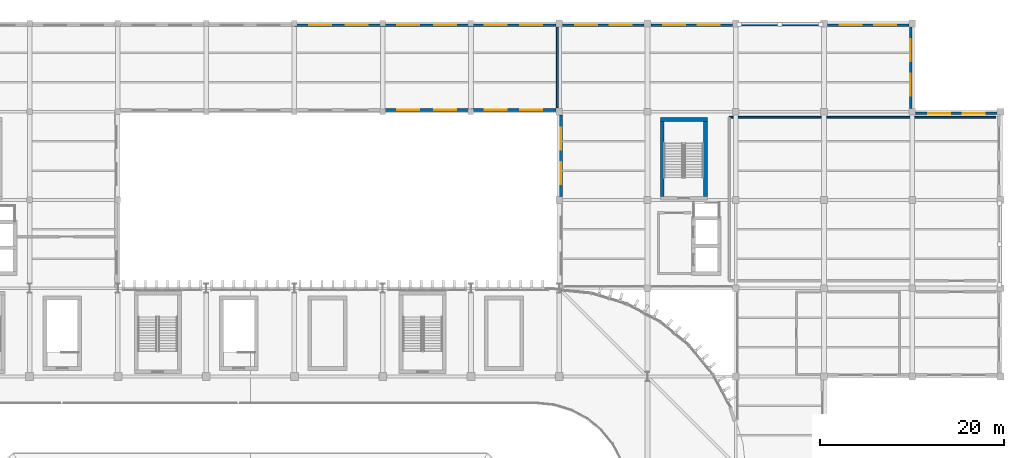
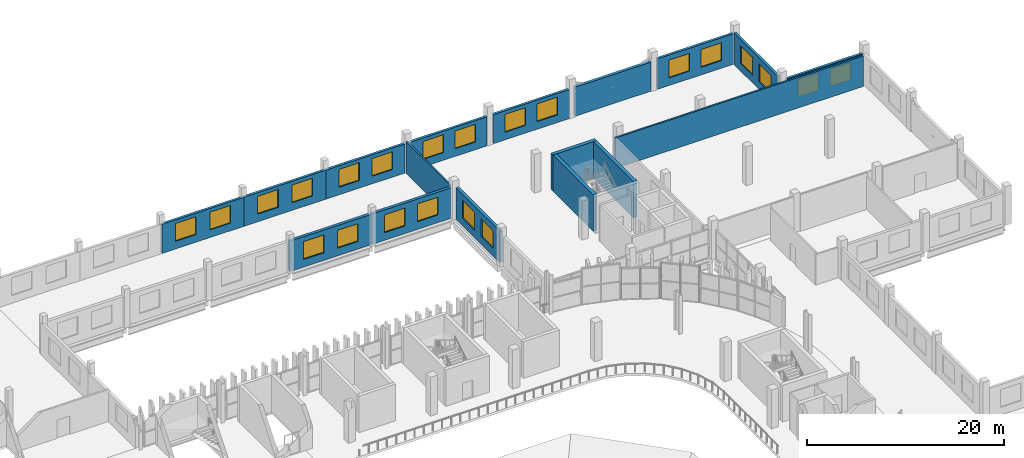
# One storey, part 68 of 99: 22 windows, 17 walls, 22 openings.
"""IFC4 building model written with IfcOpenShell, lengths in metres."""

from ifc_helpers import new_model, si_unit, direction, frame, frame_2d, origin, place, context, subcontext, project, spatial, rectangle, extrude, material, layer, layer_set, type_object, element, fill, save


model = new_model("IFC4")

# Units and contexts
model_context = context("Model", 3, precision=1e-05, world=origin(), true_north=direction((0.0, 1.0)))
body_context = subcontext(model_context, "Body", "Model", "MODEL_VIEW")
ifc_project = project(units=[si_unit("LENGTHUNIT", "METRE"), si_unit("AREAUNIT", "SQUARE_METRE"), si_unit("VOLUMEUNIT", "CUBIC_METRE"), si_unit("PLANEANGLEUNIT", "RADIAN"), si_unit("MASSUNIT", "GRAM", prefix="KILO")], contexts=[model_context])

# Site, building, storey
site_placement = place(None, origin())
site = spatial("IfcSite", under=ifc_project, at=site_placement, CompositionType="ELEMENT")
building_placement = place(site_placement, origin())
building = spatial("IfcBuilding", under=site, at=building_placement, Name="Caelomonte Colonnade Arena", CompositionType="ELEMENT")
storey_placement = place(building_placement, frame((0.0, 0.0, 4.800048828125)))
storey = spatial("IfcBuildingStorey", under=building, at=storey_placement, Name="L01", CompositionType="ELEMENT", Elevation=4.800048828125)

# Wall, openings, windows
ifc_material_1 = material(Name="Precast concrete C40/50", Category="concrete")
ifc_layer_1 = layer(ifc_material_1, 0.2900390625)
ifc_layer_set_1 = layer_set([ifc_layer_1], Name="Precast concrete C40/50")
wall_type_1 = type_object("IfcWallType", Name="ENV-WL-EXT29", PredefinedType="SOLIDWALL", material=ifc_layer_set_1)
wall_1_placement = place(storey_placement, frame((191.64501953125, 134.219970703125, 0.0), z_axis=(0.0, 0.0, 1.0), x_axis=(-1.0, 0.0, 0.0)))
wall_1 = element("IfcWall", 1, at=wall_1_placement, inside=storey, type_object=wall_type_1, Name="L01 exterior wall EW-L01-0205", PredefinedType="SOLIDWALL", context=body_context, shape_type="SweptSolid", body=[
    extrude(rectangle(XDim=8.89013671875, YDim=0.2900390625, at=frame_2d((4.445068359375, 0.0))), origin(), (0.0, 0.0, 1.0), 3.758056640625),
])
opening_1_placement = place(wall_1_placement, frame((3.76318359375, 0.0, 0.949951171875), z_axis=(0.0, 0.0, 1.0), x_axis=(-1.0, 0.0, 0.0)))
opening_1 = element("IfcOpeningElement", 2, at=opening_1_placement, cuts=wall_1, Name="Opening WN-04", PredefinedType="OPENING", context=body_context, shape_type="SweptSolid", body=[
    extrude(rectangle(XDim=2.39990234375, YDim=2.199951171875, at=frame_2d((1.199951171875, 1.10009765625))), frame((0.0, 0.155029296875, 0.0), z_axis=(0.0, -1.0, 0.0), x_axis=(1.0, 0.0, 0.0)), (0.0, 0.0, 1.0), 0.31005859375),
])
opening_2_placement = place(wall_1_placement, frame((7.526611328125, 0.0, 0.949951171875), z_axis=(0.0, 0.0, 1.0), x_axis=(-1.0, 0.0, 0.0)))
opening_2 = element("IfcOpeningElement", 3, at=opening_2_placement, cuts=wall_1, Name="Opening WN-04", PredefinedType="OPENING", context=body_context, shape_type="SweptSolid", body=[
    extrude(rectangle(XDim=2.39990234375, YDim=2.199951171875, at=frame_2d((1.199951171875, 1.10009765625))), frame((0.0, 0.155029296875, 0.0), z_axis=(0.0, -1.0, 0.0), x_axis=(1.0, 0.0, 0.0)), (0.0, 0.0, 1.0), 0.31005859375),
])
ifc_material_2 = material(Name="Solar-control bronze low-E double glazing", Category="glass")
window_type = type_object("IfcWindowType", Name="ENV-WN-V4A", PartitioningType="DOUBLE_PANEL_VERTICAL", PredefinedType="WINDOW", material=ifc_material_2)
window_1_placement = place(opening_1_placement, origin())
window_1 = element("IfcWindow", 4, at=window_1_placement, inside=storey, type_object=window_type, Name="L01 facade window 108", OverallHeight=2.199951171875, OverallWidth=2.39990234375, PartitioningType="SINGLE_PANEL", PredefinedType="WINDOW", context=body_context, shape_type="SweptSolid", body=[
    extrude(rectangle(XDim=2.39990234375, YDim=2.199951171875, at=frame_2d((1.199951171875, 1.10009765625))), frame((0.0, 0.030029296875, 0.0), z_axis=(0.0, -1.0, 0.0), x_axis=(1.0, 0.0, 0.0)), (0.0, 0.0, 1.0), 0.06005859375),
])
fill(opening_1, window_1)
window_2_placement = place(opening_2_placement, origin())
window_2 = element("IfcWindow", 5, at=window_2_placement, inside=storey, type_object=window_type, Name="L01 facade window 109", OverallHeight=2.199951171875, OverallWidth=2.39990234375, PartitioningType="SINGLE_PANEL", PredefinedType="WINDOW", context=body_context, shape_type="SweptSolid", body=[
    extrude(rectangle(XDim=2.39990234375, YDim=2.199951171875, at=frame_2d((1.199951171875, 1.10009765625))), frame((0.0, 0.030029296875, 0.0), z_axis=(0.0, -1.0, 0.0), x_axis=(1.0, 0.0, 0.0)), (0.0, 0.0, 1.0), 0.06005859375),
])
fill(opening_2, window_2)

wall_2_placement = place(storey_placement, frame((182.219970703125, 134.7548828125, 0.0), z_axis=(0.0, 0.0, 1.0), x_axis=(0.0, 1.0, 0.0)))
wall_2 = element("IfcWall", 6, at=wall_2_placement, inside=storey, type_object=wall_type_1, Name="L01 exterior wall EW-L01-0206", PredefinedType="SOLIDWALL", context=body_context, shape_type="SweptSolid", body=[
    extrude(rectangle(XDim=8.89013671875, YDim=0.2900390625, at=frame_2d((4.445068359375, 0.0))), origin(), (0.0, 0.0, 1.0), 3.912841796875),
])
opening_3_placement = place(wall_2_placement, frame((3.76318359375, 0.0, 0.949951171875), z_axis=(0.0, 0.0, 1.0), x_axis=(-1.0, 0.0, 0.0)))
opening_3 = element("IfcOpeningElement", 7, at=opening_3_placement, cuts=wall_2, Name="Opening WN-04", PredefinedType="OPENING", context=body_context, shape_type="SweptSolid", body=[
    extrude(rectangle(XDim=2.39990234375, YDim=2.199951171875, at=frame_2d((1.199951171875, 1.10009765625))), frame((0.0, 0.155029296875, 0.0), z_axis=(0.0, -1.0, 0.0), x_axis=(1.0, 0.0, 0.0)), (0.0, 0.0, 1.0), 0.31005859375),
])
opening_4_placement = place(wall_2_placement, frame((7.526611328125, 0.0, 0.949951171875), z_axis=(0.0, 0.0, 1.0), x_axis=(-1.0, 0.0, 0.0)))
opening_4 = element("IfcOpeningElement", 8, at=opening_4_placement, cuts=wall_2, Name="Opening WN-04", PredefinedType="OPENING", context=body_context, shape_type="SweptSolid", body=[
    extrude(rectangle(XDim=2.39990234375, YDim=2.199951171875, at=frame_2d((1.199951171875, 1.10009765625))), frame((0.0, 0.155029296875, 0.0), z_axis=(0.0, -1.0, 0.0), x_axis=(1.0, 0.0, 0.0)), (0.0, 0.0, 1.0), 0.31005859375),
])
window_3_placement = place(opening_3_placement, origin())
window_3 = element("IfcWindow", 9, at=window_3_placement, inside=storey, type_object=window_type, Name="L01 facade window 110", OverallHeight=2.199951171875, OverallWidth=2.39990234375, PartitioningType="SINGLE_PANEL", PredefinedType="WINDOW", context=body_context, shape_type="SweptSolid", body=[
    extrude(rectangle(XDim=2.39990234375, YDim=2.199951171875, at=frame_2d((1.199951171875, 1.10009765625))), frame((0.0, 0.030029296875, 0.0), z_axis=(0.0, -1.0, 0.0), x_axis=(1.0, 0.0, 0.0)), (0.0, 0.0, 1.0), 0.06005859375),
])
fill(opening_3, window_3)
window_4_placement = place(opening_4_placement, origin())
window_4 = element("IfcWindow", 10, at=window_4_placement, inside=storey, type_object=window_type, Name="L01 facade window 111", OverallHeight=2.199951171875, OverallWidth=2.39990234375, PartitioningType="SINGLE_PANEL", PredefinedType="WINDOW", context=body_context, shape_type="SweptSolid", body=[
    extrude(rectangle(XDim=2.39990234375, YDim=2.199951171875, at=frame_2d((1.199951171875, 1.10009765625))), frame((0.0, 0.030029296875, 0.0), z_axis=(0.0, -1.0, 0.0), x_axis=(1.0, 0.0, 0.0)), (0.0, 0.0, 1.0), 0.06005859375),
])
fill(opening_4, window_4)

wall_3_placement = place(storey_placement, frame((182.044921875, 143.820068359375, 0.0), z_axis=(0.0, 0.0, 1.0), x_axis=(-1.0, 0.0, 0.0)))
wall_3 = element("IfcWall", 11, at=wall_3_placement, inside=storey, type_object=wall_type_1, Name="L01 exterior wall EW-L01-0207", PredefinedType="SOLIDWALL", context=body_context, shape_type="SweptSolid", body=[
    extrude(rectangle(XDim=8.889892578125, YDim=0.2900390625, at=frame_2d((4.44482421875, 0.0))), origin(), (0.0, 0.0, 1.0), 3.77001953125),
])
opening_5_placement = place(wall_3_placement, frame((3.76318359375, 0.0, 0.949951171875), z_axis=(0.0, 0.0, 1.0), x_axis=(-1.0, 0.0, 0.0)))
opening_5 = element("IfcOpeningElement", 12, at=opening_5_placement, cuts=wall_3, Name="Opening WN-04", PredefinedType="OPENING", context=body_context, shape_type="SweptSolid", body=[
    extrude(rectangle(XDim=2.39990234375, YDim=2.199951171875, at=frame_2d((1.199951171875, 1.10009765625))), frame((0.0, 0.155029296875, 0.0), z_axis=(0.0, -1.0, 0.0), x_axis=(1.0, 0.0, 0.0)), (0.0, 0.0, 1.0), 0.31005859375),
])
opening_6_placement = place(wall_3_placement, frame((7.526611328125, 0.0, 0.949951171875), z_axis=(0.0, 0.0, 1.0), x_axis=(-1.0, 0.0, 0.0)))
opening_6 = element("IfcOpeningElement", 13, at=opening_6_placement, cuts=wall_3, Name="Opening WN-04", PredefinedType="OPENING", context=body_context, shape_type="SweptSolid", body=[
    extrude(rectangle(XDim=2.39990234375, YDim=2.199951171875, at=frame_2d((1.199951171875, 1.10009765625))), frame((0.0, 0.155029296875, 0.0), z_axis=(0.0, -1.0, 0.0), x_axis=(1.0, 0.0, 0.0)), (0.0, 0.0, 1.0), 0.31005859375),
])
window_5_placement = place(opening_5_placement, origin())
window_5 = element("IfcWindow", 14, at=window_5_placement, inside=storey, type_object=window_type, Name="L01 facade window 112", OverallHeight=2.199951171875, OverallWidth=2.39990234375, PartitioningType="SINGLE_PANEL", PredefinedType="WINDOW", context=body_context, shape_type="SweptSolid", body=[
    extrude(rectangle(XDim=2.39990234375, YDim=2.199951171875, at=frame_2d((1.199951171875, 1.10009765625))), frame((0.0, 0.030029296875, 0.0), z_axis=(0.0, -1.0, 0.0), x_axis=(1.0, 0.0, 0.0)), (0.0, 0.0, 1.0), 0.06005859375),
])
fill(opening_5, window_5)
window_6_placement = place(opening_6_placement, origin())
window_6 = element("IfcWindow", 15, at=window_6_placement, inside=storey, type_object=window_type, Name="L01 facade window 113", OverallHeight=2.199951171875, OverallWidth=2.39990234375, PartitioningType="SINGLE_PANEL", PredefinedType="WINDOW", context=body_context, shape_type="SweptSolid", body=[
    extrude(rectangle(XDim=2.39990234375, YDim=2.199951171875, at=frame_2d((1.199951171875, 1.10009765625))), frame((0.0, 0.030029296875, 0.0), z_axis=(0.0, -1.0, 0.0), x_axis=(1.0, 0.0, 0.0)), (0.0, 0.0, 1.0), 0.06005859375),
])
fill(opening_6, window_6)

wall_4_placement = place(storey_placement, frame((162.844970703125, 143.820068359375, 0.0), z_axis=(0.0, 0.0, 1.0), x_axis=(-1.0, 0.0, 0.0)))
wall_4 = element("IfcWall", 16, at=wall_4_placement, inside=storey, type_object=wall_type_1, Name="L01 exterior wall EW-L01-0209", PredefinedType="SOLIDWALL", context=body_context, shape_type="SweptSolid", body=[
    extrude(rectangle(XDim=8.889892578125, YDim=0.2900390625, at=frame_2d((4.44482421875, 0.0))), origin(), (0.0, 0.0, 1.0), 3.593017578125),
])
opening_7_placement = place(wall_4_placement, frame((3.76318359375, 0.0, 0.949951171875), z_axis=(0.0, 0.0, 1.0), x_axis=(-1.0, 0.0, 0.0)))
opening_7 = element("IfcOpeningElement", 17, at=opening_7_placement, cuts=wall_4, Name="Opening WN-04", PredefinedType="OPENING", context=body_context, shape_type="SweptSolid", body=[
    extrude(rectangle(XDim=2.39990234375, YDim=2.199951171875, at=frame_2d((1.199951171875, 1.10009765625))), frame((0.0, 0.155029296875, 0.0), z_axis=(0.0, -1.0, 0.0), x_axis=(1.0, 0.0, 0.0)), (0.0, 0.0, 1.0), 0.31005859375),
])
opening_8_placement = place(wall_4_placement, frame((7.526611328125, 0.0, 0.949951171875), z_axis=(0.0, 0.0, 1.0), x_axis=(-1.0, 0.0, 0.0)))
opening_8 = element("IfcOpeningElement", 18, at=opening_8_placement, cuts=wall_4, Name="Opening WN-04", PredefinedType="OPENING", context=body_context, shape_type="SweptSolid", body=[
    extrude(rectangle(XDim=2.39990234375, YDim=2.199951171875, at=frame_2d((1.199951171875, 1.10009765625))), frame((0.0, 0.155029296875, 0.0), z_axis=(0.0, -1.0, 0.0), x_axis=(1.0, 0.0, 0.0)), (0.0, 0.0, 1.0), 0.31005859375),
])
window_7_placement = place(opening_7_placement, origin())
window_7 = element("IfcWindow", 19, at=window_7_placement, inside=storey, type_object=window_type, Name="L01 facade window 114", OverallHeight=2.199951171875, OverallWidth=2.39990234375, PartitioningType="SINGLE_PANEL", PredefinedType="WINDOW", context=body_context, shape_type="SweptSolid", body=[
    extrude(rectangle(XDim=2.39990234375, YDim=2.199951171875, at=frame_2d((1.199951171875, 1.10009765625))), frame((0.0, 0.030029296875, 0.0), z_axis=(0.0, -1.0, 0.0), x_axis=(1.0, 0.0, 0.0)), (0.0, 0.0, 1.0), 0.06005859375),
])
fill(opening_7, window_7)
window_8_placement = place(opening_8_placement, origin())
window_8 = element("IfcWindow", 20, at=window_8_placement, inside=storey, type_object=window_type, Name="L01 facade window 115", OverallHeight=2.199951171875, OverallWidth=2.39990234375, PartitioningType="SINGLE_PANEL", PredefinedType="WINDOW", context=body_context, shape_type="SweptSolid", body=[
    extrude(rectangle(XDim=2.39990234375, YDim=2.199951171875, at=frame_2d((1.199951171875, 1.10009765625))), frame((0.0, 0.030029296875, 0.0), z_axis=(0.0, -1.0, 0.0), x_axis=(1.0, 0.0, 0.0)), (0.0, 0.0, 1.0), 0.06005859375),
])
fill(opening_8, window_8)

wall_5_placement = place(storey_placement, frame((153.2451171875, 143.820068359375, 0.0), z_axis=(0.0, 0.0, 1.0), x_axis=(-1.0, 0.0, 0.0)))
wall_5 = element("IfcWall", 21, at=wall_5_placement, inside=storey, type_object=wall_type_1, Name="L01 exterior wall EW-L01-0210", PredefinedType="SOLIDWALL", context=body_context, shape_type="SweptSolid", body=[
    extrude(rectangle(XDim=8.89013671875, YDim=0.2900390625, at=frame_2d((4.445068359375, 0.0))), origin(), (0.0, 0.0, 1.0), 3.593017578125),
])
opening_9_placement = place(wall_5_placement, frame((3.76318359375, 0.0, 0.949951171875), z_axis=(0.0, 0.0, 1.0), x_axis=(-1.0, 0.0, 0.0)))
opening_9 = element("IfcOpeningElement", 22, at=opening_9_placement, cuts=wall_5, Name="Opening WN-04", PredefinedType="OPENING", context=body_context, shape_type="SweptSolid", body=[
    extrude(rectangle(XDim=2.39990234375, YDim=2.199951171875, at=frame_2d((1.199951171875, 1.10009765625))), frame((0.0, 0.155029296875, 0.0), z_axis=(0.0, -1.0, 0.0), x_axis=(1.0, 0.0, 0.0)), (0.0, 0.0, 1.0), 0.31005859375),
])
opening_10_placement = place(wall_5_placement, frame((7.526611328125, 0.0, 0.949951171875), z_axis=(0.0, 0.0, 1.0), x_axis=(-1.0, 0.0, 0.0)))
opening_10 = element("IfcOpeningElement", 23, at=opening_10_placement, cuts=wall_5, Name="Opening WN-04", PredefinedType="OPENING", context=body_context, shape_type="SweptSolid", body=[
    extrude(rectangle(XDim=2.39990234375, YDim=2.199951171875, at=frame_2d((1.199951171875, 1.10009765625))), frame((0.0, 0.155029296875, 0.0), z_axis=(0.0, -1.0, 0.0), x_axis=(1.0, 0.0, 0.0)), (0.0, 0.0, 1.0), 0.31005859375),
])
window_9_placement = place(opening_9_placement, origin())
window_9 = element("IfcWindow", 24, at=window_9_placement, inside=storey, type_object=window_type, Name="L01 facade window 116", OverallHeight=2.199951171875, OverallWidth=2.39990234375, PartitioningType="SINGLE_PANEL", PredefinedType="WINDOW", context=body_context, shape_type="SweptSolid", body=[
    extrude(rectangle(XDim=2.39990234375, YDim=2.199951171875, at=frame_2d((1.199951171875, 1.10009765625))), frame((0.0, 0.030029296875, 0.0), z_axis=(0.0, -1.0, 0.0), x_axis=(1.0, 0.0, 0.0)), (0.0, 0.0, 1.0), 0.06005859375),
])
fill(opening_9, window_9)
window_10_placement = place(opening_10_placement, origin())
window_10 = element("IfcWindow", 25, at=window_10_placement, inside=storey, type_object=window_type, Name="L01 facade window 117", OverallHeight=2.199951171875, OverallWidth=2.39990234375, PartitioningType="SINGLE_PANEL", PredefinedType="WINDOW", context=body_context, shape_type="SweptSolid", body=[
    extrude(rectangle(XDim=2.39990234375, YDim=2.199951171875, at=frame_2d((1.199951171875, 1.10009765625))), frame((0.0, 0.030029296875, 0.0), z_axis=(0.0, -1.0, 0.0), x_axis=(1.0, 0.0, 0.0)), (0.0, 0.0, 1.0), 0.06005859375),
])
fill(opening_10, window_10)

wall_6_placement = place(storey_placement, frame((143.64501953125, 143.820068359375, 0.0), z_axis=(0.0, 0.0, 1.0), x_axis=(-1.0, 0.0, 0.0)))
wall_6 = element("IfcWall", 26, at=wall_6_placement, inside=storey, type_object=wall_type_1, Name="L01 exterior wall EW-L01-0211", PredefinedType="SOLIDWALL", context=body_context, shape_type="SweptSolid", body=[
    extrude(rectangle(XDim=9.2451171875, YDim=0.2900390625, at=frame_2d((4.62255859375, 0.0))), origin(), (0.0, 0.0, 1.0), 3.593017578125),
])
opening_11_placement = place(wall_6_placement, frame((3.881591796875, 0.0, 0.949951171875), z_axis=(0.0, 0.0, 1.0), x_axis=(-1.0, 0.0, 0.0)))
opening_11 = element("IfcOpeningElement", 27, at=opening_11_placement, cuts=wall_6, Name="Opening WN-04", PredefinedType="OPENING", context=body_context, shape_type="SweptSolid", body=[
    extrude(rectangle(XDim=2.39990234375, YDim=2.199951171875, at=frame_2d((1.199951171875, 1.10009765625))), frame((0.0, 0.155029296875, 0.0), z_axis=(0.0, -1.0, 0.0), x_axis=(1.0, 0.0, 0.0)), (0.0, 0.0, 1.0), 0.31005859375),
])
opening_12_placement = place(wall_6_placement, frame((7.76318359375, 0.0, 0.949951171875), z_axis=(0.0, 0.0, 1.0), x_axis=(-1.0, 0.0, 0.0)))
opening_12 = element("IfcOpeningElement", 28, at=opening_12_placement, cuts=wall_6, Name="Opening WN-04", PredefinedType="OPENING", context=body_context, shape_type="SweptSolid", body=[
    extrude(rectangle(XDim=2.39990234375, YDim=2.199951171875, at=frame_2d((1.199951171875, 1.10009765625))), frame((0.0, 0.155029296875, 0.0), z_axis=(0.0, -1.0, 0.0), x_axis=(1.0, 0.0, 0.0)), (0.0, 0.0, 1.0), 0.31005859375),
])
window_11_placement = place(opening_11_placement, origin())
window_11 = element("IfcWindow", 29, at=window_11_placement, inside=storey, type_object=window_type, Name="L01 facade window 118", OverallHeight=2.199951171875, OverallWidth=2.39990234375, PartitioningType="SINGLE_PANEL", PredefinedType="WINDOW", context=body_context, shape_type="SweptSolid", body=[
    extrude(rectangle(XDim=2.39990234375, YDim=2.199951171875, at=frame_2d((1.199951171875, 1.10009765625))), frame((0.0, 0.030029296875, 0.0), z_axis=(0.0, -1.0, 0.0), x_axis=(1.0, 0.0, 0.0)), (0.0, 0.0, 1.0), 0.06005859375),
])
fill(opening_11, window_11)
window_12_placement = place(opening_12_placement, origin())
window_12 = element("IfcWindow", 30, at=window_12_placement, inside=storey, type_object=window_type, Name="L01 facade window 119", OverallHeight=2.199951171875, OverallWidth=2.39990234375, PartitioningType="SINGLE_PANEL", PredefinedType="WINDOW", context=body_context, shape_type="SweptSolid", body=[
    extrude(rectangle(XDim=2.39990234375, YDim=2.199951171875, at=frame_2d((1.199951171875, 1.10009765625))), frame((0.0, 0.030029296875, 0.0), z_axis=(0.0, -1.0, 0.0), x_axis=(1.0, 0.0, 0.0)), (0.0, 0.0, 1.0), 0.06005859375),
])
fill(opening_12, window_12)

wall_7_placement = place(storey_placement, frame((134.39990234375, 143.820068359375, 0.0), z_axis=(0.0, 0.0, 1.0), x_axis=(-1.0, 0.0, 0.0)))
wall_7 = element("IfcWall", 31, at=wall_7_placement, inside=storey, type_object=wall_type_1, Name="L01 exterior wall EW-L01-0212", PredefinedType="SOLIDWALL", context=body_context, shape_type="SweptSolid", body=[
    extrude(rectangle(XDim=9.599853515625, YDim=0.2900390625, at=frame_2d((4.7998046875, 0.0))), origin(), (0.0, 0.0, 1.0), 3.593017578125),
])
opening_13_placement = place(wall_7_placement, frame((4.0, 0.0, 0.949951171875), z_axis=(0.0, 0.0, 1.0), x_axis=(-1.0, 0.0, 0.0)))
opening_13 = element("IfcOpeningElement", 32, at=opening_13_placement, cuts=wall_7, Name="Opening WN-04", PredefinedType="OPENING", context=body_context, shape_type="SweptSolid", body=[
    extrude(rectangle(XDim=2.39990234375, YDim=2.199951171875, at=frame_2d((1.199951171875, 1.10009765625))), frame((0.0, 0.155029296875, 0.0), z_axis=(0.0, -1.0, 0.0), x_axis=(1.0, 0.0, 0.0)), (0.0, 0.0, 1.0), 0.31005859375),
])
opening_14_placement = place(wall_7_placement, frame((8.0, 0.0, 0.949951171875), z_axis=(0.0, 0.0, 1.0), x_axis=(-1.0, 0.0, 0.0)))
opening_14 = element("IfcOpeningElement", 33, at=opening_14_placement, cuts=wall_7, Name="Opening WN-04", PredefinedType="OPENING", context=body_context, shape_type="SweptSolid", body=[
    extrude(rectangle(XDim=2.39990234375, YDim=2.199951171875, at=frame_2d((1.199951171875, 1.10009765625))), frame((0.0, 0.155029296875, 0.0), z_axis=(0.0, -1.0, 0.0), x_axis=(1.0, 0.0, 0.0)), (0.0, 0.0, 1.0), 0.31005859375),
])
window_13_placement = place(opening_13_placement, origin())
window_13 = element("IfcWindow", 34, at=window_13_placement, inside=storey, type_object=window_type, Name="L01 facade window 120", OverallHeight=2.199951171875, OverallWidth=2.39990234375, PartitioningType="SINGLE_PANEL", PredefinedType="WINDOW", context=body_context, shape_type="SweptSolid", body=[
    extrude(rectangle(XDim=2.39990234375, YDim=2.199951171875, at=frame_2d((1.199951171875, 1.10009765625))), frame((0.0, 0.030029296875, 0.0), z_axis=(0.0, -1.0, 0.0), x_axis=(1.0, 0.0, 0.0)), (0.0, 0.0, 1.0), 0.06005859375),
])
fill(opening_13, window_13)
window_14_placement = place(opening_14_placement, origin())
window_14 = element("IfcWindow", 35, at=window_14_placement, inside=storey, type_object=window_type, Name="L01 facade window 121", OverallHeight=2.199951171875, OverallWidth=2.39990234375, PartitioningType="SINGLE_PANEL", PredefinedType="WINDOW", context=body_context, shape_type="SweptSolid", body=[
    extrude(rectangle(XDim=2.39990234375, YDim=2.199951171875, at=frame_2d((1.199951171875, 1.10009765625))), frame((0.0, 0.030029296875, 0.0), z_axis=(0.0, -1.0, 0.0), x_axis=(1.0, 0.0, 0.0)), (0.0, 0.0, 1.0), 0.06005859375),
])
fill(opening_14, window_14)

wall_8_placement = place(storey_placement, frame((124.800048828125, 143.820068359375, 0.0), z_axis=(0.0, 0.0, 1.0), x_axis=(-1.0, 0.0, 0.0)))
wall_8 = element("IfcWall", 36, at=wall_8_placement, inside=storey, type_object=wall_type_1, Name="L01 exterior wall EW-L01-0213", PredefinedType="SOLIDWALL", context=body_context, shape_type="SweptSolid", body=[
    extrude(rectangle(XDim=9.60009765625, YDim=0.2900390625, at=frame_2d((4.800048828125, 0.0))), origin(), (0.0, 0.0, 1.0), 3.593017578125),
])
opening_15_placement = place(wall_8_placement, frame((4.0, 0.0, 0.949951171875), z_axis=(0.0, 0.0, 1.0), x_axis=(-1.0, 0.0, 0.0)))
opening_15 = element("IfcOpeningElement", 37, at=opening_15_placement, cuts=wall_8, Name="Opening WN-04", PredefinedType="OPENING", context=body_context, shape_type="SweptSolid", body=[
    extrude(rectangle(XDim=2.39990234375, YDim=2.199951171875, at=frame_2d((1.199951171875, 1.10009765625))), frame((0.0, 0.155029296875, 0.0), z_axis=(0.0, -1.0, 0.0), x_axis=(1.0, 0.0, 0.0)), (0.0, 0.0, 1.0), 0.31005859375),
])
opening_16_placement = place(wall_8_placement, frame((8.0, 0.0, 0.949951171875), z_axis=(0.0, 0.0, 1.0), x_axis=(-1.0, 0.0, 0.0)))
opening_16 = element("IfcOpeningElement", 38, at=opening_16_placement, cuts=wall_8, Name="Opening WN-04", PredefinedType="OPENING", context=body_context, shape_type="SweptSolid", body=[
    extrude(rectangle(XDim=2.39990234375, YDim=2.199951171875, at=frame_2d((1.199951171875, 1.10009765625))), frame((0.0, 0.155029296875, 0.0), z_axis=(0.0, -1.0, 0.0), x_axis=(1.0, 0.0, 0.0)), (0.0, 0.0, 1.0), 0.31005859375),
])
window_15_placement = place(opening_15_placement, origin())
window_15 = element("IfcWindow", 39, at=window_15_placement, inside=storey, type_object=window_type, Name="L01 facade window 122", OverallHeight=2.199951171875, OverallWidth=2.39990234375, PartitioningType="SINGLE_PANEL", PredefinedType="WINDOW", context=body_context, shape_type="SweptSolid", body=[
    extrude(rectangle(XDim=2.39990234375, YDim=2.199951171875, at=frame_2d((1.199951171875, 1.10009765625))), frame((0.0, 0.030029296875, 0.0), z_axis=(0.0, -1.0, 0.0), x_axis=(1.0, 0.0, 0.0)), (0.0, 0.0, 1.0), 0.06005859375),
])
fill(opening_15, window_15)
window_16_placement = place(opening_16_placement, origin())
window_16 = element("IfcWindow", 40, at=window_16_placement, inside=storey, type_object=window_type, Name="L01 facade window 123", OverallHeight=2.199951171875, OverallWidth=2.39990234375, PartitioningType="SINGLE_PANEL", PredefinedType="WINDOW", context=body_context, shape_type="SweptSolid", body=[
    extrude(rectangle(XDim=2.39990234375, YDim=2.199951171875, at=frame_2d((1.199951171875, 1.10009765625))), frame((0.0, 0.030029296875, 0.0), z_axis=(0.0, -1.0, 0.0), x_axis=(1.0, 0.0, 0.0)), (0.0, 0.0, 1.0), 0.06005859375),
])
fill(opening_16, window_16)

# Wall
ifc_layer_2 = layer(ifc_material_1, 0.330078125)
ifc_layer_set_2 = layer_set([ifc_layer_2], Name="Precast concrete C40/50")
wall_type_2 = type_object("IfcWallType", Name="ENV-WL-EXT33", PredefinedType="SOLIDWALL", material=ifc_layer_set_2)
wall_9_placement = place(storey_placement, frame((172.445068359375, 143.89990234375, 0.0), z_axis=(0.0, 0.0, 1.0), x_axis=(-1.0, 0.0, 0.0)))
element("IfcWall", 41, at=wall_9_placement, inside=storey, type_object=wall_type_2, Name="L01 exterior wall EW-L01-0208", PredefinedType="SOLIDWALL", context=body_context, shape_type="SweptSolid", body=[
    extrude(rectangle(XDim=8.89013671875, YDim=0.330078125, at=frame_2d((4.445068359375, 0.0))), origin(), (0.0, 0.0, 1.0), 3.593017578125),
])

# Wall, openings, windows
wall_10_placement = place(storey_placement, frame((124.800048828125, 134.580078125, 0.0), z_axis=(0.0, 0.0, 1.0), x_axis=(1.0, 0.0, 0.0)))
wall_10 = element("IfcWall", 42, at=wall_10_placement, inside=storey, type_object=wall_type_2, Name="L01 exterior wall EW-L01-0231", PredefinedType="SOLIDWALL", context=body_context, shape_type="SweptSolid", body=[
    extrude(rectangle(XDim=9.599853515625, YDim=0.330078125, at=frame_2d((4.7998046875, 0.0))), origin(), (0.0, 0.0, 1.0), 3.758056640625),
])
opening_17_placement = place(wall_10_placement, frame((4.0, 0.0, 0.949951171875), z_axis=(0.0, 0.0, 1.0), x_axis=(-1.0, 0.0, 0.0)))
opening_17 = element("IfcOpeningElement", 43, at=opening_17_placement, cuts=wall_10, Name="Opening WN-04", PredefinedType="OPENING", context=body_context, shape_type="SweptSolid", body=[
    extrude(rectangle(XDim=2.39990234375, YDim=2.199951171875, at=frame_2d((1.199951171875, 1.10009765625))), frame((0.0, 0.175048828125, 0.0), z_axis=(0.0, -1.0, 0.0), x_axis=(1.0, 0.0, 0.0)), (0.0, 0.0, 1.0), 0.35009765625),
])
opening_18_placement = place(wall_10_placement, frame((8.0, 0.0, 0.949951171875), z_axis=(0.0, 0.0, 1.0), x_axis=(-1.0, 0.0, 0.0)))
opening_18 = element("IfcOpeningElement", 44, at=opening_18_placement, cuts=wall_10, Name="Opening WN-04", PredefinedType="OPENING", context=body_context, shape_type="SweptSolid", body=[
    extrude(rectangle(XDim=2.39990234375, YDim=2.199951171875, at=frame_2d((1.199951171875, 1.10009765625))), frame((0.0, 0.175048828125, 0.0), z_axis=(0.0, -1.0, 0.0), x_axis=(1.0, 0.0, 0.0)), (0.0, 0.0, 1.0), 0.35009765625),
])
window_17_placement = place(opening_17_placement, origin())
window_17 = element("IfcWindow", 45, at=window_17_placement, inside=storey, type_object=window_type, Name="L01 facade window 145", OverallHeight=2.199951171875, OverallWidth=2.39990234375, PartitioningType="SINGLE_PANEL", PredefinedType="WINDOW", context=body_context, shape_type="SweptSolid", body=[
    extrude(rectangle(XDim=2.39990234375, YDim=2.199951171875, at=frame_2d((1.199951171875, 1.10009765625))), frame((0.0, 0.030029296875, 0.0), z_axis=(0.0, -1.0, 0.0), x_axis=(1.0, 0.0, 0.0)), (0.0, 0.0, 1.0), 0.06005859375),
])
fill(opening_17, window_17)
window_18_placement = place(opening_18_placement, origin())
window_18 = element("IfcWindow", 46, at=window_18_placement, inside=storey, type_object=window_type, Name="L01 facade window 146", OverallHeight=2.199951171875, OverallWidth=2.39990234375, PartitioningType="SINGLE_PANEL", PredefinedType="WINDOW", context=body_context, shape_type="SweptSolid", body=[
    extrude(rectangle(XDim=2.39990234375, YDim=2.199951171875, at=frame_2d((1.199951171875, 1.10009765625))), frame((0.0, 0.030029296875, 0.0), z_axis=(0.0, -1.0, 0.0), x_axis=(1.0, 0.0, 0.0)), (0.0, 0.0, 1.0), 0.06005859375),
])
fill(opening_18, window_18)

wall_11_placement = place(storey_placement, frame((134.39990234375, 134.580078125, 0.0), z_axis=(0.0, 0.0, 1.0), x_axis=(1.0, 0.0, 0.0)))
wall_11 = element("IfcWall", 47, at=wall_11_placement, inside=storey, type_object=wall_type_2, Name="L01 exterior wall EW-L01-0232", PredefinedType="SOLIDWALL", context=body_context, shape_type="SweptSolid", body=[
    extrude(rectangle(XDim=9.2451171875, YDim=0.330078125, at=frame_2d((4.62255859375, 0.0))), origin(), (0.0, 0.0, 1.0), 3.758056640625),
])
opening_19_placement = place(wall_11_placement, frame((3.881591796875, 0.0, 0.949951171875), z_axis=(0.0, 0.0, 1.0), x_axis=(-1.0, 0.0, 0.0)))
opening_19 = element("IfcOpeningElement", 48, at=opening_19_placement, cuts=wall_11, Name="Opening WN-04", PredefinedType="OPENING", context=body_context, shape_type="SweptSolid", body=[
    extrude(rectangle(XDim=2.39990234375, YDim=2.199951171875, at=frame_2d((1.199951171875, 1.10009765625))), frame((0.0, 0.175048828125, 0.0), z_axis=(0.0, -1.0, 0.0), x_axis=(1.0, 0.0, 0.0)), (0.0, 0.0, 1.0), 0.35009765625),
])
opening_20_placement = place(wall_11_placement, frame((7.76318359375, 0.0, 0.949951171875), z_axis=(0.0, 0.0, 1.0), x_axis=(-1.0, 0.0, 0.0)))
opening_20 = element("IfcOpeningElement", 49, at=opening_20_placement, cuts=wall_11, Name="Opening WN-04", PredefinedType="OPENING", context=body_context, shape_type="SweptSolid", body=[
    extrude(rectangle(XDim=2.39990234375, YDim=2.199951171875, at=frame_2d((1.199951171875, 1.10009765625))), frame((0.0, 0.175048828125, 0.0), z_axis=(0.0, -1.0, 0.0), x_axis=(1.0, 0.0, 0.0)), (0.0, 0.0, 1.0), 0.35009765625),
])
window_19_placement = place(opening_19_placement, origin())
window_19 = element("IfcWindow", 50, at=window_19_placement, inside=storey, type_object=window_type, Name="L01 facade window 147", OverallHeight=2.199951171875, OverallWidth=2.39990234375, PartitioningType="SINGLE_PANEL", PredefinedType="WINDOW", context=body_context, shape_type="SweptSolid", body=[
    extrude(rectangle(XDim=2.39990234375, YDim=2.199951171875, at=frame_2d((1.199951171875, 1.10009765625))), frame((0.0, 0.030029296875, 0.0), z_axis=(0.0, -1.0, 0.0), x_axis=(1.0, 0.0, 0.0)), (0.0, 0.0, 1.0), 0.06005859375),
])
fill(opening_19, window_19)
window_20_placement = place(opening_20_placement, origin())
window_20 = element("IfcWindow", 51, at=window_20_placement, inside=storey, type_object=window_type, Name="L01 facade window 148", OverallHeight=2.199951171875, OverallWidth=2.39990234375, PartitioningType="SINGLE_PANEL", PredefinedType="WINDOW", context=body_context, shape_type="SweptSolid", body=[
    extrude(rectangle(XDim=2.39990234375, YDim=2.199951171875, at=frame_2d((1.199951171875, 1.10009765625))), frame((0.0, 0.030029296875, 0.0), z_axis=(0.0, -1.0, 0.0), x_axis=(1.0, 0.0, 0.0)), (0.0, 0.0, 1.0), 0.06005859375),
])
fill(opening_20, window_20)

wall_12_placement = place(storey_placement, frame((144.179931640625, 134.044921875, 0.0), z_axis=(0.0, 0.0, 1.0), x_axis=(0.0, -1.0, 0.0)))
wall_12 = element("IfcWall", 52, at=wall_12_placement, inside=storey, type_object=wall_type_2, Name="L01 exterior wall EW-L01-0233", PredefinedType="SOLIDWALL", context=body_context, shape_type="SweptSolid", body=[
    extrude(rectangle(XDim=8.889892578125, YDim=0.330078125, at=frame_2d((4.44482421875, 0.0))), origin(), (0.0, 0.0, 1.0), 3.912841796875),
])
opening_21_placement = place(wall_12_placement, frame((3.76318359375, 0.0, 0.949951171875), z_axis=(0.0, 0.0, 1.0), x_axis=(-1.0, 0.0, 0.0)))
opening_21 = element("IfcOpeningElement", 53, at=opening_21_placement, cuts=wall_12, Name="Opening WN-04", PredefinedType="OPENING", context=body_context, shape_type="SweptSolid", body=[
    extrude(rectangle(XDim=2.39990234375, YDim=2.199951171875, at=frame_2d((1.199951171875, 1.10009765625))), frame((0.0, 0.175048828125, 0.0), z_axis=(0.0, -1.0, 0.0), x_axis=(1.0, 0.0, 0.0)), (0.0, 0.0, 1.0), 0.35009765625),
])
opening_22_placement = place(wall_12_placement, frame((7.526611328125, 0.0, 0.949951171875), z_axis=(0.0, 0.0, 1.0), x_axis=(-1.0, 0.0, 0.0)))
opening_22 = element("IfcOpeningElement", 54, at=opening_22_placement, cuts=wall_12, Name="Opening WN-04", PredefinedType="OPENING", context=body_context, shape_type="SweptSolid", body=[
    extrude(rectangle(XDim=2.39990234375, YDim=2.199951171875, at=frame_2d((1.199951171875, 1.10009765625))), frame((0.0, 0.175048828125, 0.0), z_axis=(0.0, -1.0, 0.0), x_axis=(1.0, 0.0, 0.0)), (0.0, 0.0, 1.0), 0.35009765625),
])
window_21_placement = place(opening_21_placement, origin())
window_21 = element("IfcWindow", 55, at=window_21_placement, inside=storey, type_object=window_type, Name="L01 facade window 149", OverallHeight=2.199951171875, OverallWidth=2.39990234375, PartitioningType="SINGLE_PANEL", PredefinedType="WINDOW", context=body_context, shape_type="SweptSolid", body=[
    extrude(rectangle(XDim=2.39990234375, YDim=2.199951171875, at=frame_2d((1.199951171875, 1.10009765625))), frame((0.0, 0.030029296875, 0.0), z_axis=(0.0, -1.0, 0.0), x_axis=(1.0, 0.0, 0.0)), (0.0, 0.0, 1.0), 0.06005859375),
])
fill(opening_21, window_21)
window_22_placement = place(opening_22_placement, origin())
window_22 = element("IfcWindow", 56, at=window_22_placement, inside=storey, type_object=window_type, Name="L01 facade window 150", OverallHeight=2.199951171875, OverallWidth=2.39990234375, PartitioningType="SINGLE_PANEL", PredefinedType="WINDOW", context=body_context, shape_type="SweptSolid", body=[
    extrude(rectangle(XDim=2.39990234375, YDim=2.199951171875, at=frame_2d((1.199951171875, 1.10009765625))), frame((0.0, 0.030029296875, 0.0), z_axis=(0.0, -1.0, 0.0), x_axis=(1.0, 0.0, 0.0)), (0.0, 0.0, 1.0), 0.06005859375),
])
fill(opening_22, window_22)

# Walls
ifc_material_3 = material(Name="Fire-rated gypsum stud partition")
ifc_layer_3 = layer(ifc_material_3, 0.199951171875)
ifc_layer_set_3 = layer_set([ifc_layer_3], Name="Fire-rated gypsum stud partition")
wall_type_3 = type_object("IfcWallType", Name="INT-WL-PT20", PredefinedType="PARTITIONING", material=ifc_layer_set_3)
wall_13_placement = place(storey_placement, frame((143.800048828125, 143.590087890625, 0.0), z_axis=(0.0, 0.0, 1.0), x_axis=(0.0, -1.0, 0.0)))
element("IfcWall", 57, at=wall_13_placement, inside=storey, type_object=wall_type_3, Name="L01 Peristyle Fan Lounge partition 118", PredefinedType="PARTITIONING", context=body_context, shape_type="SweptSolid", body=[
    extrude(rectangle(XDim=8.780029296875, YDim=0.199951171875, at=frame_2d((4.39013671875, 0.0))), origin(), (0.0, 0.0, 1.0), 3.912841796875),
])
wall_14_placement = place(storey_placement, frame((162.5, 133.800048828125, 0.0), z_axis=(0.0, 0.0, 1.0), x_axis=(1.0, 0.0, 0.0)))
element("IfcWall", 58, at=wall_14_placement, inside=storey, type_object=wall_type_3, Name="L01 North-East Concession Hall partition 121", PredefinedType="PARTITIONING", context=body_context, shape_type="SweptSolid", body=[
    extrude(rectangle(XDim=29.0, YDim=0.199951171875, at=frame_2d((14.5, 0.0))), origin(), (0.0, 0.0, 1.0), 3.77001953125),
])
ifc_material_4 = material(Name="Concrete C50/60", Category="concrete")
ifc_layer_4 = layer(ifc_material_4, 0.39990234375)
ifc_layer_set_4 = layer_set([ifc_layer_4], Name="Concrete C50/60")
wall_type_4 = type_object("IfcWallType", Name="INT-WL-SH40", PredefinedType="SHEAR", material=ifc_layer_set_4)
wall_15_placement = place(storey_placement, frame((160.10009765625, 133.550048828125, 0.0), z_axis=(0.0, 0.0, 1.0), x_axis=(-1.0, 0.0, 0.0)))
element("IfcWall", 59, at=wall_15_placement, inside=storey, type_object=wall_type_4, Name="CW-C6-ST L01 north enclosure wall", PredefinedType="SHEAR", context=body_context, shape_type="SweptSolid", body=[
    extrude(rectangle(XDim=5.10009765625, YDim=0.39990234375, at=frame_2d((2.550048828125, 0.0))), origin(), (0.0, 0.0, 1.0), 4.52001953125),
])
for number, where, z_axis, x_axis, name in (
    (60, (155.199951171875, 133.35009765625, 0.0), (0.0, 0.0, 1.0), (0.0, -1.0, 0.0), "CW-C6-ST L01 west enclosure wall"),
    (61, (159.89990234375, 125.199951171875, 0.0), (0.0, 0.0, 1.0), (0.0, 1.0, 0.0), "CW-C6-ST L01 east enclosure wall"),
):
    element("IfcWall", number, at=place(storey_placement, frame(where, z_axis=z_axis, x_axis=x_axis)), inside=storey, type_object=wall_type_4, Name=name, PredefinedType="SHEAR", context=body_context, shape_type="SweptSolid", body=[
        extrude(rectangle(XDim=8.150146484375, YDim=0.39990234375, at=frame_2d((4.0751953125, 0.0))), origin(), (0.0, 0.0, 1.0), 4.52001953125),
    ])

save(model, "model.ifc")
